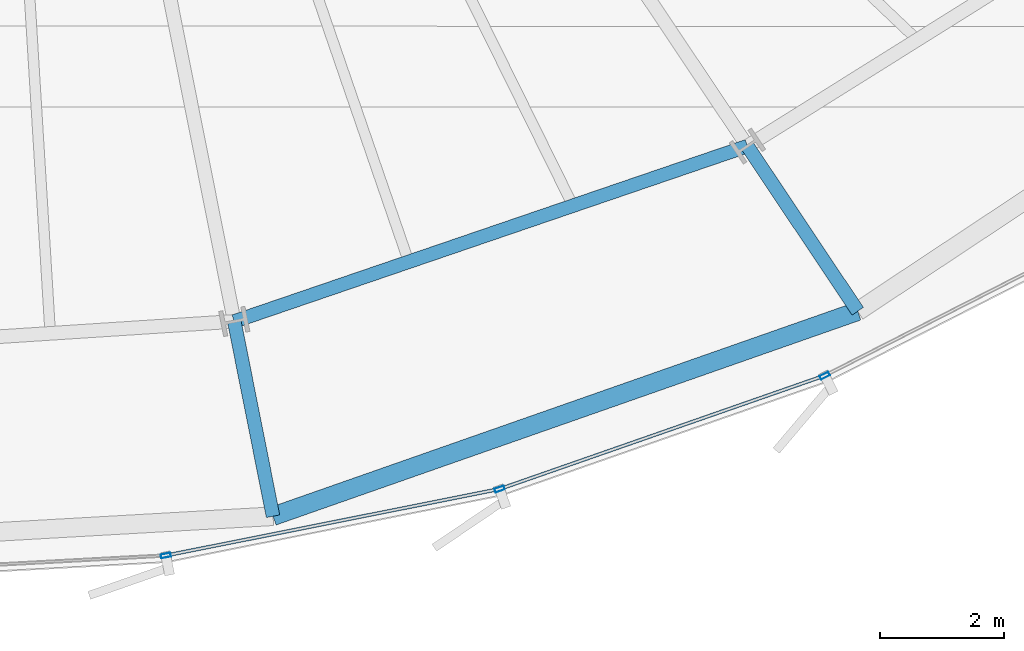
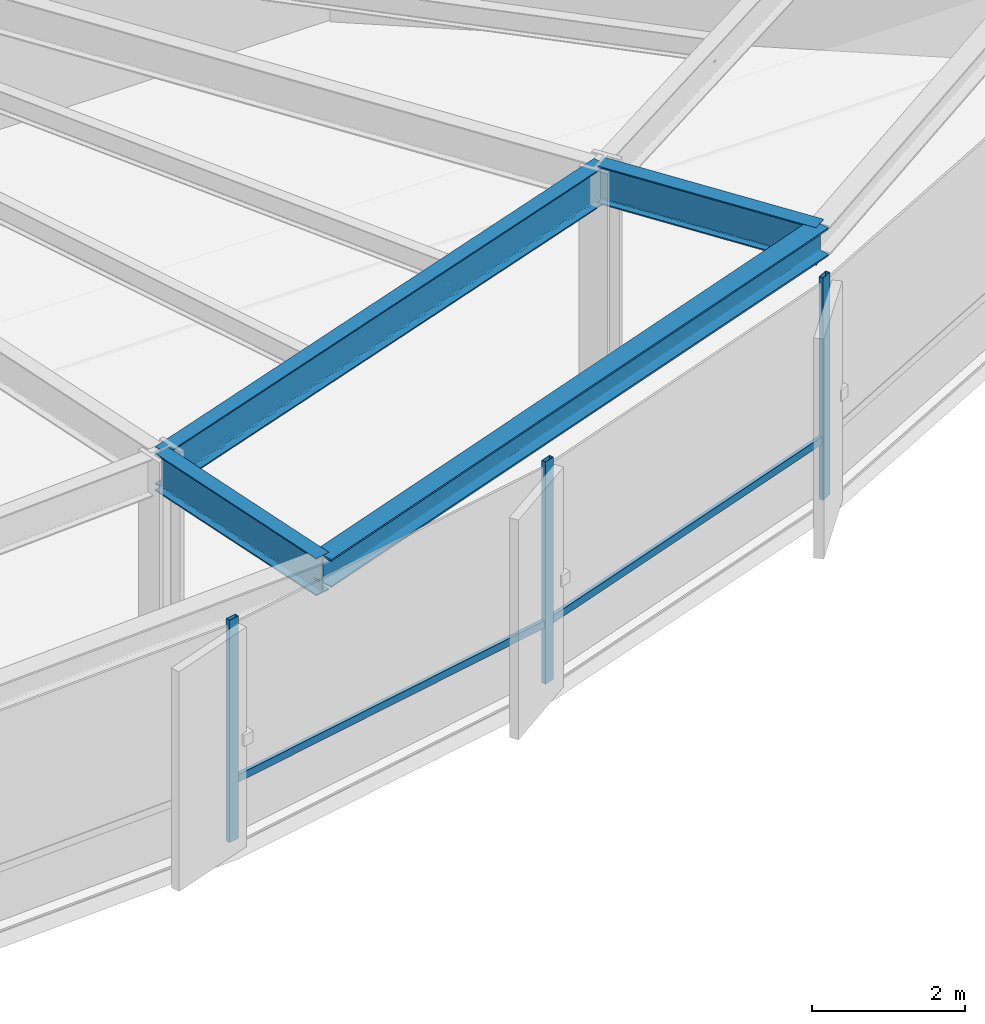
# One storey, part 11 of 37: 5 members, 4 beams, 1 element without a shape of its own.
"""IFC4 building model written with IfcOpenShell, lengths in metres."""

import ifcopenshell
import ifcopenshell.guid

model = None  # the IFC model being written
_history = None  # IfcOwnerHistory: only IFC2X3 demands one
_inside = {}  # id of a spatial element -> (the spatial element, [elements in it])
_under = {}  # id of a project, library or spatial element -> (it, [spatial elements below it])
_declared = {}  # id of a project -> (the project, [libraries it declares])
_typed = {}  # id of a type object -> (the type object, [elements of that type])
_made_of = {}  # id of a material, layer set ... -> (it, [elements and type objects made of it])


def new_model(schema):
    """Start an empty IFC model of exactly this schema.

    Asked for "IFC4X3", IfcOpenShell would pick the latest addendum, in which some entities
    have other attributes; the version numbers below select the first issue.
    IFC2X3 requires an IfcOwnerHistory on every rooted entity: one is made here for all.
    """
    global model, _history
    if schema == "IFC4X3":
        model = ifcopenshell.file(schema_version=(4, 3, 0, 0))
    else:
        model = ifcopenshell.file(schema=schema)
    _inside.clear()
    _under.clear()
    _declared.clear()
    _typed.clear()
    _made_of.clear()
    _history = None
    if model.schema == "IFC2X3":
        org = make("IfcOrganization", Name="unknown")
        user = make(
            "IfcPersonAndOrganization",
            ThePerson=make("IfcPerson", FamilyName="unknown"),
            TheOrganization=org,
        )
        app = make(
            "IfcApplication",
            ApplicationDeveloper=org,
            Version="unknown",
            ApplicationFullName="unknown",
            ApplicationIdentifier="unknown",
        )
        _history = make(
            "IfcOwnerHistory",
            OwningUser=user,
            OwningApplication=app,
            ChangeAction="ADDED",
            CreationDate=0,
        )
    return model


def make(cls, **values):
    """One entity of the class cls with the attributes given. An attribute that is None is left unset."""
    return model.create_entity(
        cls, **{name: value for name, value in values.items() if value is not None}
    )


def rooted(cls, **values):
    """An entity with a GlobalId (a new one), such as an element, a storey or a relation."""
    return make(cls, GlobalId=ifcopenshell.guid.new(), OwnerHistory=_history, **values)


def si_unit(unit_type, name, prefix=None):
    """IfcSIUnit, for example si_unit("LENGTHUNIT", "METRE", prefix="MILLI")."""
    return make("IfcSIUnit", UnitType=unit_type, Prefix=prefix, Name=name)


def assignment(units):
    """IfcUnitAssignment: the units of a project."""
    return None if units is None else make("IfcUnitAssignment", Units=units)


def point(xyz):
    """IfcCartesianPoint."""
    return None if xyz is None else make("IfcCartesianPoint", Coordinates=xyz)


def direction(xyz):
    """IfcDirection."""
    return None if xyz is None else make("IfcDirection", DirectionRatios=xyz)


def frame(location, z_axis=None, x_axis=None):
    """IfcAxis2Placement3D, a coordinate frame: its origin and axes. An axis left out is left unset."""
    return make(
        "IfcAxis2Placement3D",
        Location=point(location),
        Axis=direction(z_axis),
        RefDirection=direction(x_axis),
    )


def frame_2d(location, x_axis=None):
    """IfcAxis2Placement2D, a coordinate frame in the plane: its origin and x axis."""
    return make(
        "IfcAxis2Placement2D", Location=point(location), RefDirection=direction(x_axis)
    )


def origin():
    """The frame at (0, 0, 0) with its axes left unset."""
    return frame((0.0, 0.0, 0.0))


def origin_2d():
    """The frame at (0, 0) in the plane with its x axis left unset."""
    return frame_2d((0.0, 0.0))


def place(relative_to, where):
    """IfcLocalPlacement: puts the frame where relative to a parent placement (None: the world)."""
    return make(
        "IfcLocalPlacement", PlacementRelTo=relative_to, RelativePlacement=where
    )


def context(
    kind, dimensions, precision=None, world=None, true_north=None, identifier=None
):
    """IfcGeometricRepresentationContext, for example the 3D "Model" context."""
    return make(
        "IfcGeometricRepresentationContext",
        ContextIdentifier=identifier,
        ContextType=kind,
        CoordinateSpaceDimension=dimensions,
        Precision=precision,
        WorldCoordinateSystem=world,
        TrueNorth=true_north,
    )


def subcontext(parent, identifier, kind, view, scale=None):
    """IfcGeometricRepresentationSubContext, for example "Body" below "Model"."""
    return make(
        "IfcGeometricRepresentationSubContext",
        ContextIdentifier=identifier,
        ContextType=kind,
        ParentContext=parent,
        TargetScale=scale,
        TargetView=view,
    )


def project(units=None, contexts=None):
    """IfcProject with its units and contexts."""
    return rooted(
        "IfcProject",
        Name="project",
        RepresentationContexts=contexts,
        UnitsInContext=assignment(units),
    )


def spatial(cls, under=None, at=None, **own):
    """A site, building, storey or space (cls), placed at a placement, below another one or the project."""
    s = rooted(cls, ObjectPlacement=at, **own)
    if under is not None:
        _under.setdefault(under.id(), (under, []))[1].append(s)
    return s


def profile(cls, at=None, kind="AREA", **sizes):
    """A parametric profile (cls). Its sizes go by their IFC names, for example OverallWidth=200.0."""
    return make(cls, ProfileType=kind, Position=at, **sizes)


def hollow_rectangle(**sizes):
    """IfcRectangleHollowProfileDef."""
    return profile("IfcRectangleHollowProfileDef", **sizes)


def i_section(**sizes):
    """IfcIShapeProfileDef."""
    return profile("IfcIShapeProfileDef", **sizes)


def extrude(swept, where, along, depth):
    """IfcExtrudedAreaSolid: the profile swept, set in the frame where, extruded along a direction by depth."""
    return make(
        "IfcExtrudedAreaSolid",
        SweptArea=swept,
        Position=where,
        ExtrudedDirection=direction(along),
        Depth=depth,
    )


def shape(context_of_items, identifier, shape_type, items):
    """IfcShapeRepresentation: the items that make up one representation, for example the "Body"."""
    return make(
        "IfcShapeRepresentation",
        ContextOfItems=context_of_items,
        RepresentationIdentifier=identifier,
        RepresentationType=shape_type,
        Items=items,
    )


def source(mapping_origin, context_of_items, identifier, shape_type, items):
    """IfcRepresentationMap: a shape defined once, which mapped items show again and again."""
    return make(
        "IfcRepresentationMap",
        MappingOrigin=mapping_origin,
        MappedRepresentation=shape(context_of_items, identifier, shape_type, items),
    )


def transform(
    local_origin,
    x_axis=None,
    y_axis=None,
    z_axis=None,
    scale=None,
    scale2=None,
    scale3=None,
    uniform=True,
):
    """IfcCartesianTransformationOperator3D, or its non-uniform kind. x_axis, y_axis, z_axis: its Axis1, 2, 3."""
    if uniform:
        return make(
            "IfcCartesianTransformationOperator3D",
            Axis1=direction(x_axis),
            Axis2=direction(y_axis),
            LocalOrigin=point(local_origin),
            Scale=scale,
            Axis3=direction(z_axis),
        )
    return make(
        "IfcCartesianTransformationOperator3DnonUniform",
        Axis1=direction(x_axis),
        Axis2=direction(y_axis),
        LocalOrigin=point(local_origin),
        Scale=scale,
        Axis3=direction(z_axis),
        Scale2=scale2,
        Scale3=scale3,
    )


def mapped(mapping_source, mapping_target):
    """IfcMappedItem: shows the shape of a source again, moved by a transform."""
    return make(
        "IfcMappedItem", MappingSource=mapping_source, MappingTarget=mapping_target
    )


def material(Name=None, Category=None):
    """IfcMaterial."""
    return make("IfcMaterial", Name=Name, Category=Category)


def layer(
    of_material, thickness, ventilated=None, Name=None, Category=None, Priority=None
):
    """IfcMaterialLayer: one layer of a wall or slab, of a material (None: an air gap)."""
    return make(
        "IfcMaterialLayer",
        Material=of_material,
        LayerThickness=thickness,
        IsVentilated=ventilated,
        Name=Name,
        Category=Category,
        Priority=Priority,
    )


def layer_set(layers, Name=None):
    """IfcMaterialLayerSet."""
    return make("IfcMaterialLayerSet", MaterialLayers=layers, LayerSetName=Name)


def material_profile(
    of_material, cross_section, Name=None, Category=None, Priority=None
):
    """IfcMaterialProfile: a cross section and its material."""
    return make(
        "IfcMaterialProfile",
        Name=Name,
        Material=of_material,
        Profile=cross_section,
        Priority=Priority,
        Category=Category,
    )


def profile_set(profiles, Name=None, composite=None):
    """IfcMaterialProfileSet."""
    return make(
        "IfcMaterialProfileSet",
        Name=Name,
        MaterialProfiles=profiles,
        CompositeProfile=composite,
    )


def made_of(thing, what):
    """Note that an element or type object is made of a material, layer set ...; save() writes the relation."""
    if what is not None:
        _made_of.setdefault(what.id(), (what, []))[1].append(thing)
    return thing


def type_object(cls, material=None, **own):
    """A type object (cls), such as IfcWallType, which elements share."""
    return made_of(rooted(cls, **own), material)


def element(
    cls,
    number,
    at=None,
    inside=None,
    cuts=None,
    type_object=None,
    material=None,
    context=None,
    identifier="Body",
    shape_type=None,
    held_by="IfcProductDefinitionShape",
    body=None,
    shapes=None,
    **own,
):
    """One element of the class cls, such as IfcWall. Its Tag is "e" and its number.

    at: its placement. inside: the storey or other place that contains it. cuts: it is an
    opening in that element (IfcRelVoidsElement). A single representation is given by context,
    identifier, shape_type and body (its items); several are given by shapes. held_by: the class
    of the entity that holds the representations. save() writes the other relations.
    """
    e = rooted(cls, Tag="e%d" % number, ObjectPlacement=at, **own)
    if body is not None:
        shapes = [shape(context, identifier, shape_type, body)]
    if shapes is not None:
        e.Representation = make(held_by, Representations=shapes)
    if inside is not None:
        _inside.setdefault(inside.id(), (inside, []))[1].append(e)
    if cuts is not None:
        rooted(
            "IfcRelVoidsElement", RelatingBuildingElement=cuts, RelatedOpeningElement=e
        )
    if type_object is not None:
        _typed.setdefault(type_object.id(), (type_object, []))[1].append(e)
    return made_of(e, material)


def aggregate(whole, parts):
    """IfcRelAggregates: a whole, such as a stair, and the parts it consists of."""
    return rooted("IfcRelAggregates", RelatingObject=whole, RelatedObjects=parts)


def save(model, path):
    """Write the relations noted so far, then the file.

    IfcRelAggregates (storeys below a building ...), IfcRelContainedInSpatialStructure (elements
    in a storey), IfcRelDefinesByType, IfcRelAssociatesMaterial and IfcRelDeclares: one each for
    every whole, place, type object, material and project.
    """
    for whole, parts in _under.values():
        aggregate(whole, parts)
    for where, things in _inside.values():
        rooted(
            "IfcRelContainedInSpatialStructure",
            RelatedElements=things,
            RelatingStructure=where,
        )
    for kind, things in _typed.values():
        rooted("IfcRelDefinesByType", RelatedObjects=things, RelatingType=kind)
    for what, things in _made_of.values():
        rooted("IfcRelAssociatesMaterial", RelatedObjects=things, RelatingMaterial=what)
    for by, libraries in _declared.values():
        rooted("IfcRelDeclares", RelatingContext=by, RelatedDefinitions=libraries)
    model.write(path)


model = new_model("IFC4")

# Units and contexts
model_context = context("Model", 3, precision=1e-05, world=origin(), true_north=direction((0.0, 1.0)))
body_context = subcontext(model_context, "Body", "Model", "MODEL_VIEW")
ifc_project = project(units=[si_unit("LENGTHUNIT", "METRE"), si_unit("AREAUNIT", "SQUARE_METRE"), si_unit("VOLUMEUNIT", "CUBIC_METRE"), si_unit("PLANEANGLEUNIT", "RADIAN"), si_unit("MASSUNIT", "GRAM", prefix="KILO"), si_unit("THERMODYNAMICTEMPERATUREUNIT", "KELVIN")], contexts=[model_context])

# Site, building, storey
site_placement = place(None, origin())
site = spatial("IfcSite", under=ifc_project, at=site_placement, CompositionType="ELEMENT")
building_placement = place(site_placement, origin())
building = spatial("IfcBuilding", under=site, at=building_placement, Name="Kethvar Cultural Tower", CompositionType="ELEMENT")
storey_placement = place(building_placement, frame((0.0, 0.0, 60.0)))
storey = spatial("IfcBuildingStorey", under=building, at=storey_placement, Name="L14", CompositionType="ELEMENT", Elevation=60.0)

# Beams
ifc_material_1 = material(Name="Steel S355J2", Category="steel")
ifc_material_profile_1 = material_profile(ifc_material_1, i_section(OverallWidth=0.219970703125, OverallDepth=0.60009765625, WebThickness=0.011962890625, FlangeThickness=0.01904296875, FilletRadius=0.02392578125, at=origin_2d()), Name="Steel S355J2 — IPE600")
ifc_profile_set_1 = profile_set([ifc_material_profile_1], Name="Steel S355J2 — IPE600")
beam_type_1 = type_object("IfcBeamType", Name="BM-IPE600", PredefinedType="BEAM", material=ifc_profile_set_1)
shared_shape_1 = source(origin(), body_context, "Body", "SweptSolid", [
    extrude(i_section(OverallWidth=0.219970703125, OverallDepth=0.60009765625, WebThickness=0.011962890625, FlangeThickness=0.01904296875, FilletRadius=0.02392578125, at=origin_2d()), origin(), (0.0, 0.0, 1.0), 3.199951171875),
])
for number, where, z_axis, x_axis, name in (
    (1, (51.10400390625, 6.16259765625, 3.248046875), (0.195088965533, -0.980785550224, 0.0), (0.980785550224, 0.195088965533, 0.0), "L14 Perimeter Cantilever Beam RC-13"),
    (2, (59.370361328125, 8.987060546875, 3.248046875), (0.555580212716, -0.831462943996, 0.0), (0.831462943996, 0.555580212716, 0.0), "L14 Perimeter Cantilever Beam RC-14"),
):
    element("IfcBeam", number, at=place(storey_placement, frame(where, z_axis=z_axis, x_axis=x_axis)), inside=storey, type_object=beam_type_1, Name=name, PredefinedType="BEAM", context=body_context, shape_type="MappedRepresentation", body=[
        mapped(shared_shape_1, transform((0.0, 0.0, 0.0), scale=1.0)),
    ])
shared_shape_2 = source(origin(), body_context, "Body", "SweptSolid", [
    extrude(i_section(OverallWidth=0.219970703125, OverallDepth=0.60009765625, WebThickness=0.011962890625, FlangeThickness=0.01904296875, FilletRadius=0.02392578125, at=origin_2d()), origin(), (0.0, 0.0, 1.0), 8.735595703125),
])
beam_1_placement = place(storey_placement, frame((51.10400390625, 6.16259765625, 3.248046875), z_axis=(0.946286676119, 0.323328821171, 0.0), x_axis=(-0.323328821171, 0.946286676119, 0.0)))
element("IfcBeam", 3, at=beam_1_placement, inside=storey, type_object=beam_type_1, Name="L14 Column Ring Tie Beam CR-13", PredefinedType="BEAM", context=body_context, shape_type="MappedRepresentation", body=[
    mapped(shared_shape_2, transform((0.0, 0.0, 0.0), scale=1.0)),
])
ifc_material_profile_2 = material_profile(ifc_material_1, i_section(OverallWidth=0.300048828125, OverallDepth=0.449951171875, WebThickness=0.013916015625, FlangeThickness=0.02587890625, FilletRadius=0.027099609375, at=origin_2d()), Name="Steel S355J2 — HEB450")
ifc_profile_set_2 = profile_set([ifc_material_profile_2], Name="Steel S355J2 — HEB450")
beam_type_2 = type_object("IfcBeamType", Name="BM-SP450", PredefinedType="SPANDREL", material=ifc_profile_set_2)
shared_shape_3 = source(origin(), body_context, "Body", "SweptSolid", [
    extrude(i_section(OverallWidth=0.300048828125, OverallDepth=0.449951171875, WebThickness=0.013916015625, FlangeThickness=0.02587890625, FilletRadius=0.027099609375, at=origin_2d()), origin(), (0.0, 0.0, 1.0), 9.98193359375),
])
beam_2_placement = place(storey_placement, frame((51.728271484375, 3.024169921875, 3.322998046875), z_axis=(0.943693514159, 0.330821026138, 0.0), x_axis=(-0.330821026138, 0.943693514159, 0.0)))
element("IfcBeam", 4, at=beam_2_placement, inside=storey, type_object=beam_type_2, Name="L14 Perimeter Spandrel Beam SP-13", PredefinedType="SPANDREL", context=body_context, shape_type="MappedRepresentation", body=[
    mapped(shared_shape_3, transform((0.0, 0.0, 0.0), scale=1.0)),
])

# Curtain wall, members
ifc_material_2 = material(Name="Aluminium 6063-T6", Category="aluminium")
ifc_layer = layer(ifc_material_2, 0.179931640625, Name="Aluminium 6063-T6", Category="aluminium")
ifc_layer_set = layer_set([ifc_layer], Name="Aluminium 6063-T6 (180 mm)")
curtain_wall_type = type_object("IfcCurtainWallType", Name="CW-SYS-02-Z1", PredefinedType="NOTDEFINED", material=ifc_layer_set)
curtain_wall_placement = place(storey_placement, origin())
curtain_wall = element("IfcCurtainWall", 5, at=curtain_wall_placement, inside=storey, type_object=curtain_wall_type, Name="L14 Curtain Wall Run 05", PredefinedType="NOTDEFINED")
ifc_material_profile_3 = material_profile(ifc_material_2, hollow_rectangle(XDim=0.06494140625, YDim=0.159912109375, WallThickness=0.0048828125, at=origin_2d()), Name="Aluminium 6063-T6 — RHS160x65x5")
ifc_profile_set_3 = profile_set([ifc_material_profile_3], Name="Aluminium 6063-T6 — RHS160x65x5")
member_type_1 = type_object("IfcMemberType", Name="CW-SYS-02-Z1-MUL", PredefinedType="MULLION", material=ifc_profile_set_3)
shared_shape_4 = source(origin(), body_context, "Body", "SweptSolid", [
    extrude(hollow_rectangle(XDim=0.06494140625, YDim=0.159912109375, WallThickness=0.0048828125, at=origin_2d()), origin(), (0.0, 0.0, 1.0), 3.550048828125),
])
member_1_placement = place(storey_placement, frame((50.001220703125, 2.390869140625, 0.0), z_axis=(0.0, 0.0, 1.0), x_axis=(-0.195535368157, 0.980696650244, 0.0)))
member_1 = element("IfcMember", 6, at=member_1_placement, type_object=member_type_1, Name="CW-L14-R05 Mullion 4", PredefinedType="MULLION", context=body_context, shape_type="MappedRepresentation", body=[
    mapped(shared_shape_4, transform((0.0, 0.0, 0.0), scale=1.0)),
])
member_2_placement = place(storey_placement, frame((55.37841796875, 3.461669921875, 0.0), z_axis=(0.0, 0.0, 1.0), x_axis=(-0.32957530057, 0.944129292658, 0.0)))
member_2 = element("IfcMember", 7, at=member_2_placement, type_object=member_type_1, Name="CW-L14-R05 Mullion 5", PredefinedType="MULLION", context=body_context, shape_type="MappedRepresentation", body=[
    mapped(shared_shape_4, transform((0.0, 0.0, 0.0), scale=1.0)),
])
member_3_placement = place(storey_placement, frame((60.615966796875, 5.288818359375, 0.0), z_axis=(0.0, 0.0, 1.0), x_axis=(-0.454146002799, 0.890927274328, 0.0)))
member_3 = element("IfcMember", 8, at=member_3_placement, type_object=member_type_1, Name="CW-L14-R05 Mullion 6", PredefinedType="MULLION", context=body_context, shape_type="MappedRepresentation", body=[
    mapped(shared_shape_4, transform((0.0, 0.0, 0.0), scale=1.0)),
])
ifc_material_profile_4 = material_profile(ifc_material_2, hollow_rectangle(XDim=0.054931640625, YDim=0.1201171875, WallThickness=0.00390625, at=origin_2d()), Name="Aluminium 6063-T6 — RHS120x55x4")
ifc_profile_set_4 = profile_set([ifc_material_profile_4], Name="Aluminium 6063-T6 — RHS120x55x4")
member_type_2 = type_object("IfcMemberType", Name="CW-SYS-02-Z1-TRN", PredefinedType="USERDEFINED", material=ifc_profile_set_4)
shared_shape_5 = source(origin(), body_context, "Body", "SweptSolid", [
    extrude(hollow_rectangle(XDim=0.054931640625, YDim=0.1201171875, WallThickness=0.00390625, at=origin_2d()), origin(), (0.0, 0.0, 1.0), 5.405517578125),
])
member_4_placement = place(storey_placement, frame((50.047119140625, 2.39990234375, 0.949951171875), z_axis=(0.980700351995, 0.195516801316, 0.0), x_axis=(-0.195516801316, 0.980700351995, 0.0)))
member_4 = element("IfcMember", 9, at=member_4_placement, type_object=member_type_2, Name="CW-L14-R05 Transom 4", ObjectType="TRANSOM", PredefinedType="USERDEFINED", context=body_context, shape_type="MappedRepresentation", body=[
    mapped(shared_shape_5, transform((0.0, 0.0, 0.0), scale=1.0)),
])
shared_shape_6 = source(origin(), body_context, "Body", "SweptSolid", [
    extrude(hollow_rectangle(XDim=0.054931640625, YDim=0.1201171875, WallThickness=0.00390625, at=origin_2d()), origin(), (0.0, 0.0, 1.0), 5.469970703125),
])
member_5_placement = place(storey_placement, frame((55.422607421875, 3.47705078125, 0.949951171875), z_axis=(0.944130111063, 0.329572956086, 0.0), x_axis=(-0.329572956086, 0.944130111063, 0.0)))
member_5 = element("IfcMember", 10, at=member_5_placement, type_object=member_type_2, Name="CW-L14-R05 Transom 5", ObjectType="TRANSOM", PredefinedType="USERDEFINED", context=body_context, shape_type="MappedRepresentation", body=[
    mapped(shared_shape_6, transform((0.0, 0.0, 0.0), scale=1.0)),
])
aggregate(curtain_wall, [member_1, member_2, member_3, member_4, member_5])

save(model, "model.ifc")
